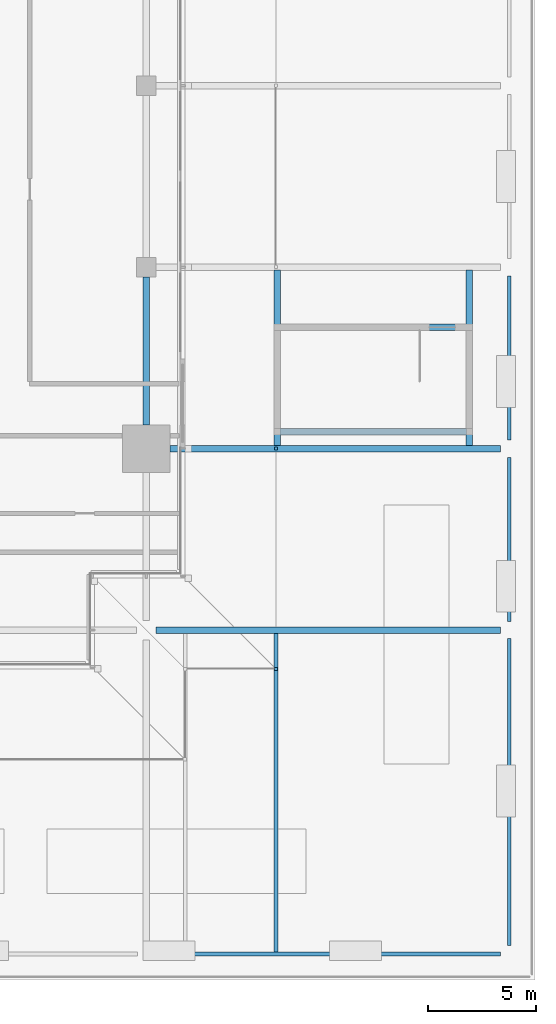
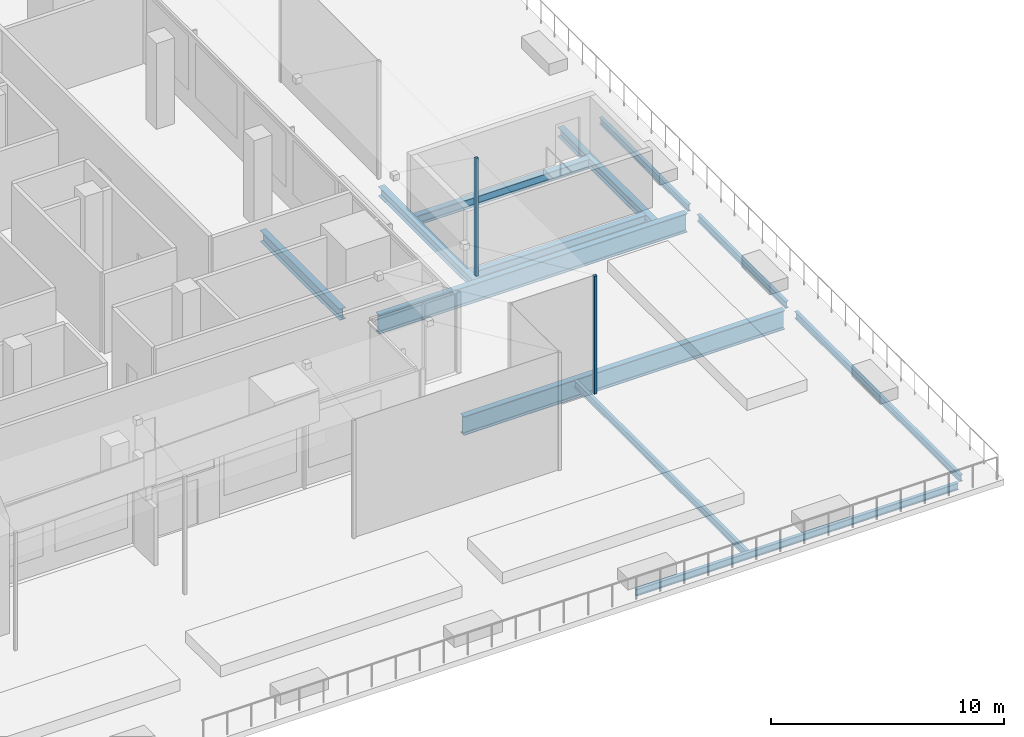
# One storey, part 11 of 60: 12 beams, 2 members.
"""IFC4 building model written with IfcOpenShell, lengths in metres."""

from ifc_helpers import new_model, si_unit, direction, frame, origin, origin_2d, place, context, subcontext, project, spatial, rectangle, i_section, extrude, material, material_profile, profile_set, type_object, element, save


model = new_model("IFC4")

# Units and contexts
model_context = context("Model", 3, precision=1e-05, world=origin(), true_north=direction((0.0, 1.0)))
body_context = subcontext(model_context, "Body", "Model", "MODEL_VIEW")
ifc_project = project(units=[si_unit("LENGTHUNIT", "METRE"), si_unit("AREAUNIT", "SQUARE_METRE"), si_unit("VOLUMEUNIT", "CUBIC_METRE"), si_unit("PLANEANGLEUNIT", "RADIAN"), si_unit("MASSUNIT", "GRAM", prefix="KILO")], contexts=[model_context])

# Site, building, storey
site_placement = place(None, origin())
site = spatial("IfcSite", under=ifc_project, at=site_placement, CompositionType="ELEMENT")
building_placement = place(site_placement, origin())
building = spatial("IfcBuilding", under=site, at=building_placement, Name="Saffron Gate Tower", CompositionType="ELEMENT")
storey_placement = place(building_placement, frame((0.0, 0.0, 19.199951171875)))
storey = spatial("IfcBuildingStorey", under=building, at=storey_placement, Name="L03", CompositionType="ELEMENT", Elevation=19.199951171875)

# Beams
ifc_material = material(Name="Structural steel S355", Category="steel")
ifc_material_profile_1 = material_profile(ifc_material, i_section(OverallWidth=0.169921875, OverallDepth=0.360107421875, WebThickness=0.008056640625, FlangeThickness=0.0126953125, FilletRadius=0.01806640625, at=origin_2d()))
ifc_profile_set_1 = profile_set([ifc_material_profile_1], Name="Structural steel S355")
beam_type_1 = type_object("IfcBeamType", Name="B1 IPE 360", PredefinedType="BEAM", material=ifc_profile_set_1)
beam_1_placement = place(storey_placement, frame((125.800048828125, 16.800048828125, -0.47998046875), z_axis=(1.0, 0.0, 0.0), x_axis=(0.0, 1.0, 0.0)))
element("IfcBeam", 1, at=beam_1_placement, inside=storey, type_object=beam_type_1, Name="B1 PODIUM EDGE BEAM", PredefinedType="BEAM", context=body_context, shape_type="SweptSolid", body=[
    extrude(i_section(OverallWidth=0.169921875, OverallDepth=0.360107421875, WebThickness=0.008056640625, FlangeThickness=0.0126953125, FilletRadius=0.01806640625, at=origin_2d()), origin(), (0.0, 0.0, 1.0), 16.0),
])
beam_2_placement = place(storey_placement, frame((142.199951171875, 17.199951171875, -0.47998046875), z_axis=(0.0, 1.0, 0.0), x_axis=(-1.0, 0.0, 0.0)))
element("IfcBeam", 2, at=beam_2_placement, inside=storey, type_object=beam_type_1, Name="B1 PODIUM EDGE BEAM", PredefinedType="BEAM", context=body_context, shape_type="SweptSolid", body=[
    extrude(i_section(OverallWidth=0.169921875, OverallDepth=0.360107421875, WebThickness=0.008056640625, FlangeThickness=0.0126953125, FilletRadius=0.01806640625, at=origin_2d()), origin(), (0.0, 0.0, 1.0), 14.199951171875),
])
beam_3_placement = place(storey_placement, frame((142.199951171875, 32.199951171875, -0.47998046875), z_axis=(0.0, 1.0, 0.0), x_axis=(-1.0, 0.0, 0.0)))
element("IfcBeam", 3, at=beam_3_placement, inside=storey, type_object=beam_type_1, Name="B1 PODIUM EDGE BEAM", PredefinedType="BEAM", context=body_context, shape_type="SweptSolid", body=[
    extrude(i_section(OverallWidth=0.169921875, OverallDepth=0.360107421875, WebThickness=0.008056640625, FlangeThickness=0.0126953125, FilletRadius=0.01806640625, at=origin_2d()), origin(), (0.0, 0.0, 1.0), 7.60009765625),
])
beam_4_placement = place(storey_placement, frame((142.199951171875, 40.60009765625, -0.47998046875), z_axis=(0.0, 1.0, 0.0), x_axis=(-1.0, 0.0, 0.0)))
element("IfcBeam", 4, at=beam_4_placement, inside=storey, type_object=beam_type_1, Name="B1 PODIUM EDGE BEAM", PredefinedType="BEAM", context=body_context, shape_type="SweptSolid", body=[
    extrude(i_section(OverallWidth=0.169921875, OverallDepth=0.360107421875, WebThickness=0.008056640625, FlangeThickness=0.0126953125, FilletRadius=0.01806640625, at=origin_2d()), origin(), (0.0, 0.0, 1.0), 7.599853515625),
])
ifc_material_profile_2 = material_profile(ifc_material, i_section(OverallWidth=0.300048828125, OverallDepth=0.590087890625, WebThickness=0.012939453125, FlangeThickness=0.02490234375, FilletRadius=0.027099609375, at=origin_2d()))
ifc_profile_set_2 = profile_set([ifc_material_profile_2], Name="Structural steel S355")
beam_type_2 = type_object("IfcBeamType", Name="B14 HEA 600", PredefinedType="SPANDREL", material=ifc_profile_set_2)
beam_5_placement = place(storey_placement, frame((125.39990234375, 41.300048828125, -0.594970703125), z_axis=(0.0, 1.0, 0.0), x_axis=(-1.0, 0.0, 0.0)))
element("IfcBeam", 5, at=beam_5_placement, inside=storey, type_object=beam_type_2, Name="B14 SPANDREL BEAM", PredefinedType="SPANDREL", context=body_context, shape_type="SweptSolid", body=[
    extrude(i_section(OverallWidth=0.300048828125, OverallDepth=0.590087890625, WebThickness=0.012939453125, FlangeThickness=0.02490234375, FilletRadius=0.027099609375, at=origin_2d()), origin(), (0.0, 0.0, 1.0), 6.849853515625),
])
ifc_material_profile_3 = material_profile(ifc_material, i_section(OverallWidth=0.300048828125, OverallDepth=0.989990234375, WebThickness=0.0166015625, FlangeThickness=0.031005859375, FilletRadius=0.030029296875, at=origin_2d()))
ifc_profile_set_3 = profile_set([ifc_material_profile_3], Name="Structural steel S355")
beam_type_3 = type_object("IfcBeamType", Name="B21 HEA 1000", PredefinedType="BEAM", material=ifc_profile_set_3)
beam_6_placement = place(storey_placement, frame((141.800048828125, 31.800048828125, -0.794921875), z_axis=(-1.0, 0.0, 0.0), x_axis=(0.0, -1.0, 0.0)))
element("IfcBeam", 6, at=beam_6_placement, inside=storey, type_object=beam_type_3, Name="B21 PODIUM RING GIRDER", PredefinedType="BEAM", context=body_context, shape_type="SweptSolid", body=[
    extrude(i_section(OverallWidth=0.300048828125, OverallDepth=0.989990234375, WebThickness=0.0166015625, FlangeThickness=0.031005859375, FilletRadius=0.030029296875, at=origin_2d()), origin(), (0.0, 0.0, 1.0), 15.949951171875),
])
beam_7_placement = place(storey_placement, frame((141.800048828125, 40.199951171875, -0.794921875), z_axis=(-1.0, 0.0, 0.0), x_axis=(0.0, -1.0, 0.0)))
element("IfcBeam", 7, at=beam_7_placement, inside=storey, type_object=beam_type_3, Name="B21 PODIUM RING GIRDER", PredefinedType="BEAM", context=body_context, shape_type="SweptSolid", body=[
    extrude(i_section(OverallWidth=0.300048828125, OverallDepth=0.989990234375, WebThickness=0.0166015625, FlangeThickness=0.031005859375, FilletRadius=0.030029296875, at=origin_2d()), origin(), (0.0, 0.0, 1.0), 15.300048828125),
])
ifc_material_profile_4 = material_profile(ifc_material, i_section(OverallWidth=0.300048828125, OverallDepth=0.5, WebThickness=0.014404296875, FlangeThickness=0.028076171875, FilletRadius=0.027099609375, at=origin_2d()))
ifc_profile_set_4 = profile_set([ifc_material_profile_4], Name="Structural steel S355")
beam_type_4 = type_object("IfcBeamType", Name="B9 HEB 500", PredefinedType="BEAM", material=ifc_profile_set_4)
for number, where, z_axis, x_axis, name in (
    (8, (131.449951171875, 40.340087890625, -0.550048828125), (0.0, 1.0, 0.0), (-1.0, 0.0, 0.0), "B9 STAIR ENCLOSURE HEADER BEAM"),
    (9, (140.35009765625, 40.340087890625, -0.550048828125), (0.0, 1.0, 0.0), (-1.0, 0.0, 0.0), "B9 STAIR ENCLOSURE HEADER BEAM"),
):
    element("IfcBeam", number, at=place(storey_placement, frame(where, z_axis=z_axis, x_axis=x_axis)), inside=storey, type_object=beam_type_4, Name=name, PredefinedType="BEAM", context=body_context, shape_type="SweptSolid", body=[
        extrude(i_section(OverallWidth=0.300048828125, OverallDepth=0.5, WebThickness=0.014404296875, FlangeThickness=0.028076171875, FilletRadius=0.027099609375, at=origin_2d()), origin(), (0.0, 0.0, 1.0), 8.119873046875),
    ])
for number, where, z_axis, x_axis, name in (
    (10, (131.590087890625, 40.97509765625, -0.550048828125), (1.0, 0.0, 0.0), (0.0, 1.0, 0.0), "B9 STAIR ENCLOSURE TRIMMER BEAM"),
    (11, (131.590087890625, 45.824951171875, -0.550048828125), (1.0, 0.0, 0.0), (0.0, 1.0, 0.0), "B9 STAIR ENCLOSURE TRIMMER BEAM"),
):
    element("IfcBeam", number, at=place(storey_placement, frame(where, z_axis=z_axis, x_axis=x_axis)), inside=storey, type_object=beam_type_4, Name=name, PredefinedType="BEAM", context=body_context, shape_type="SweptSolid", body=[
        extrude(i_section(OverallWidth=0.300048828125, OverallDepth=0.5, WebThickness=0.014404296875, FlangeThickness=0.028076171875, FilletRadius=0.027099609375, at=origin_2d()), origin(), (0.0, 0.0, 1.0), 8.619873046875),
    ])

# Members
ifc_material_profile_5 = material_profile(ifc_material, rectangle(XDim=0.139892578125, YDim=0.139892578125, at=origin_2d()))
ifc_profile_set_5 = profile_set([ifc_material_profile_5], Name="Structural steel S355")
member_type = type_object("IfcMemberType", Name="HL1 hall post", PredefinedType="POST", material=ifc_profile_set_5)
for number, where, z_axis, x_axis, name in (
    (12, (131.39990234375, 30.0, 0.0), (0.0, 0.0, 1.0), (1.0, 0.0, 0.0), "HALL POST"),
    (13, (131.39990234375, 40.199951171875, 0.0), (0.0, 0.0, 1.0), (1.0, 0.0, 0.0), "HALL POST"),
):
    element("IfcMember", number, at=place(storey_placement, frame(where, z_axis=z_axis, x_axis=x_axis)), inside=storey, type_object=member_type, Name=name, PredefinedType="POST", context=body_context, shape_type="SweptSolid", body=[
        extrude(rectangle(XDim=0.139892578125, YDim=0.139892578125, at=origin_2d()), origin(), (0.0, 0.0, 1.0), 6.18994140625),
    ])

# Beam
ifc_material_profile_6 = material_profile(ifc_material, i_section(OverallWidth=0.169921875, OverallDepth=0.360107421875, WebThickness=0.008056640625, FlangeThickness=0.0126953125, FilletRadius=0.01806640625, at=origin_2d()))
ifc_profile_set_6 = profile_set([ifc_material_profile_6], Name="Structural steel S355")
beam_type_5 = type_object("IfcBeamType", Name="HL5 hall kerb beam", PredefinedType="BEAM", material=ifc_profile_set_6)
beam_8_placement = place(storey_placement, frame((131.39990234375, 16.885009765625, -0.47998046875), z_axis=(0.0, 1.0, 0.0), x_axis=(-1.0, 0.0, 0.0)))
element("IfcBeam", 14, at=beam_8_placement, inside=storey, type_object=beam_type_5, Name="HALL KERB BEAM", PredefinedType="BEAM", context=body_context, shape_type="SweptSolid", body=[
    extrude(i_section(OverallWidth=0.169921875, OverallDepth=0.360107421875, WebThickness=0.008056640625, FlangeThickness=0.0126953125, FilletRadius=0.01806640625, at=origin_2d()), origin(), (0.0, 0.0, 1.0), 14.764892578125),
])

save(model, "model.ifc")
